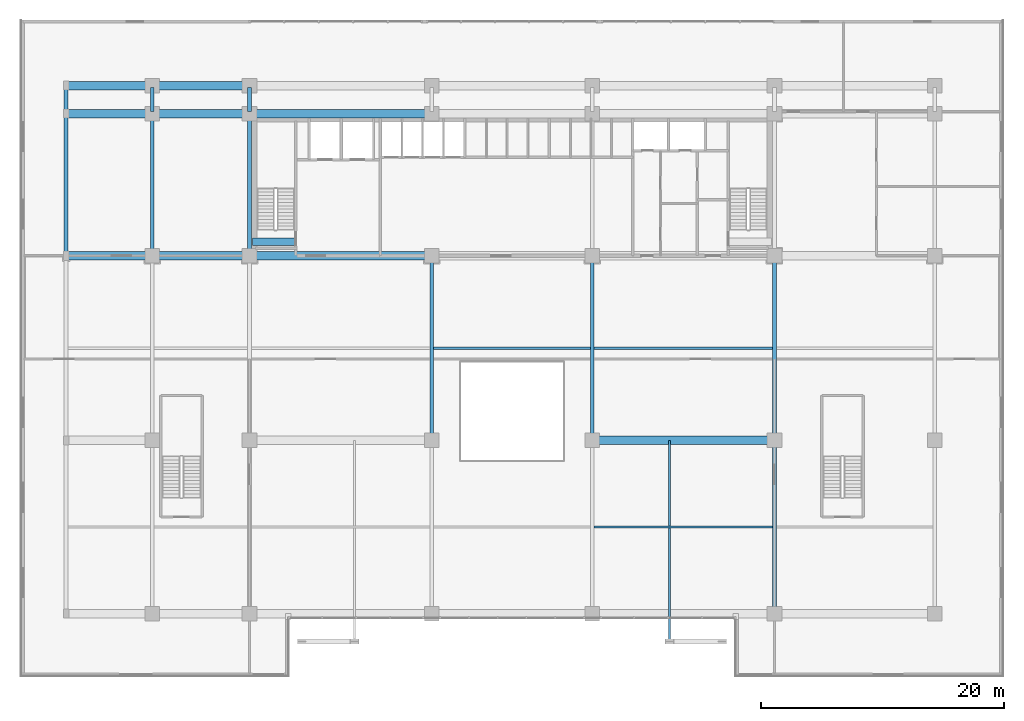
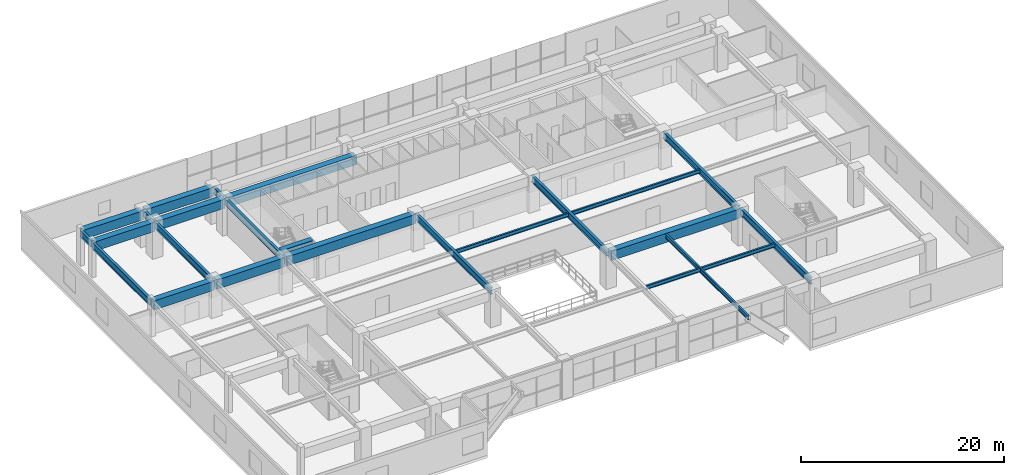
# One storey, part 7 of 24: 24 beams.
"""IFC4 building model written with IfcOpenShell, lengths in metres."""

from ifc_helpers import new_model, si_unit, direction, frame, origin, origin_2d, place, context, subcontext, project, spatial, rectangle, i_section, extrude, source, transform, mapped, material, material_profile, profile_set, type_object, element, save


model = new_model("IFC4")

# Units and contexts
model_context = context("Model", 3, precision=1e-05, world=origin(), true_north=direction((0.0, 1.0)))
body_context = subcontext(model_context, "Body", "Model", "MODEL_VIEW")
ifc_project = project(units=[si_unit("LENGTHUNIT", "METRE"), si_unit("AREAUNIT", "SQUARE_METRE"), si_unit("VOLUMEUNIT", "CUBIC_METRE"), si_unit("PLANEANGLEUNIT", "RADIAN"), si_unit("MASSUNIT", "GRAM", prefix="KILO")], contexts=[model_context])

# Site, building, storey
site_placement = place(None, origin())
site = spatial("IfcSite", under=ifc_project, at=site_placement, CompositionType="ELEMENT")
building_placement = place(site_placement, origin())
building = spatial("IfcBuilding", under=site, at=building_placement, Name="Trelvane Seafront Commons", CompositionType="ELEMENT")
storey_placement = place(building_placement, frame((0.0, 0.0, 5.199951171875)))
storey = spatial("IfcBuildingStorey", under=building, at=storey_placement, Name="L01", CompositionType="ELEMENT", Elevation=5.199951171875)

# Beams
ifc_material_1 = material(Name="Concrete C60/75", Category="concrete")
ifc_material_profile_1 = material_profile(ifc_material_1, rectangle(XDim=0.60009765625, YDim=0.89990234375, at=origin_2d()), Name="RC-600x900")
ifc_profile_set_1 = profile_set([ifc_material_profile_1], Name="Concrete C60/75")
beam_type_1 = type_object("IfcBeamType", Name="STR-LNT-RC600x900", PredefinedType="LINTEL", material=ifc_profile_set_1)
shared_shape_1 = source(origin(), body_context, "Body", "SweptSolid", [
    extrude(rectangle(XDim=0.60009765625, YDim=0.89990234375, at=origin_2d()), origin(), (0.0, 0.0, 1.0), 3.5498046875),
])
beam_1_placement = place(storey_placement, frame((15.85009765625, 34.550048828125, 3.75), z_axis=(1.0, 0.0, 0.0), x_axis=(0.0, 1.0, 0.0)))
element("IfcBeam", 1, at=beam_1_placement, inside=storey, type_object=beam_type_1, Name="L01 Core Coupling Lintel Beam CB-71", PredefinedType="LINTEL", context=body_context, shape_type="MappedRepresentation", body=[
    mapped(shared_shape_1, transform((0.0, 0.0, 0.0), x_axis=(1.0, 0.0, 0.0), y_axis=(0.0, 1.0, 0.0), z_axis=(0.0, 0.0, 1.0), scale=1.0)),
])
ifc_material_2 = material(Name="Concrete C50/60", Category="concrete")
ifc_material_profile_2 = material_profile(ifc_material_2, rectangle(XDim=0.699951171875, YDim=1.10009765625, at=origin_2d()), Name="RC-700x1100")
ifc_profile_set_2 = profile_set([ifc_material_profile_2], Name="Concrete C50/60")
beam_type_2 = type_object("IfcBeamType", Name="STR-TBM-RC700x1100", PredefinedType="T_BEAM", material=ifc_profile_set_2)
shared_shape_2 = source(origin(), body_context, "Body", "SweptSolid", [
    extrude(rectangle(XDim=0.699951171875, YDim=1.10009765625, at=origin_2d()), origin(), (0.0, 0.0, 1.0), 6.83740234375),
])
for number, where, z_axis, x_axis, name in (
    (2, (0.612548828125, 33.39990234375, 3.650146484375), (1.0, 0.0, 0.0), (0.0, 1.0, 0.0), "L01 Primary Girder G-13"),
    (3, (0.612548828125, 45.10009765625, 3.650146484375), (1.0, 0.0, 0.0), (0.0, 1.0, 0.0), "L01 Primary Girder G-19"),
    (4, (0.612548828125, 47.39990234375, 3.650146484375), (1.0, 0.0, 0.0), (0.0, 1.0, 0.0), "L01 Primary Girder G-25"),
):
    element("IfcBeam", number, at=place(storey_placement, frame(where, z_axis=z_axis, x_axis=x_axis)), inside=storey, type_object=beam_type_2, Name=name, PredefinedType="T_BEAM", context=body_context, shape_type="MappedRepresentation", body=[
        mapped(shared_shape_2, transform((0.0, 0.0, 0.0), x_axis=(1.0, 0.0, 0.0), y_axis=(0.0, 1.0, 0.0), z_axis=(0.0, 0.0, 1.0), scale=1.0)),
    ])
shared_shape_3 = source(origin(), body_context, "Body", "SweptSolid", [
    extrude(rectangle(XDim=0.699951171875, YDim=1.10009765625, at=origin_2d()), origin(), (0.0, 0.0, 1.0), 7.699951171875),
])
for number, where, z_axis, x_axis, name in (
    (5, (7.75, 33.39990234375, 3.650146484375), (1.0, 0.0, 0.0), (0.0, 1.0, 0.0), "L01 Primary Girder G-14"),
    (6, (7.75, 45.10009765625, 3.650146484375), (1.0, 0.0, 0.0), (0.0, 1.0, 0.0), "L01 Primary Girder G-20"),
    (7, (7.75, 47.39990234375, 3.650146484375), (1.0, 0.0, 0.0), (0.0, 1.0, 0.0), "L01 Primary Girder G-26"),
):
    element("IfcBeam", number, at=place(storey_placement, frame(where, z_axis=z_axis, x_axis=x_axis)), inside=storey, type_object=beam_type_2, Name=name, PredefinedType="T_BEAM", context=body_context, shape_type="MappedRepresentation", body=[
        mapped(shared_shape_3, transform((0.0, 0.0, 0.0), x_axis=(1.0, 0.0, 0.0), y_axis=(0.0, 1.0, 0.0), z_axis=(0.0, 0.0, 1.0), scale=1.0)),
    ])
shared_shape_4 = source(origin(), body_context, "Body", "SweptSolid", [
    extrude(rectangle(XDim=0.699951171875, YDim=1.10009765625, at=origin_2d()), origin(), (0.0, 0.0, 1.0), 14.699951171875),
])
for number, where, z_axis, x_axis, name in (
    (8, (43.949951171875, 18.199951171875, 3.650146484375), (1.0, 0.0, 0.0), (0.0, 1.0, 0.0), "L01 Primary Girder G-11"),
    (9, (15.75, 33.39990234375, 3.650146484375), (1.0, 0.0, 0.0), (0.0, 1.0, 0.0), "L01 Primary Girder G-15"),
    (10, (15.75, 45.10009765625, 3.650146484375), (1.0, 0.0, 0.0), (0.0, 1.0, 0.0), "L01 Primary Girder G-21"),
):
    element("IfcBeam", number, at=place(storey_placement, frame(where, z_axis=z_axis, x_axis=x_axis)), inside=storey, type_object=beam_type_2, Name=name, PredefinedType="T_BEAM", context=body_context, shape_type="MappedRepresentation", body=[
        mapped(shared_shape_4, transform((0.0, 0.0, 0.0), x_axis=(1.0, 0.0, 0.0), y_axis=(0.0, 1.0, 0.0), z_axis=(0.0, 0.0, 1.0), scale=1.0)),
    ])
ifc_material_3 = material(Name="Steel SM355 (S355)", Category="steel")
ifc_material_profile_3 = material_profile(ifc_material_3, i_section(OverallWidth=0.300048828125, OverallDepth=0.800048828125, WebThickness=0.013916015625, FlangeThickness=0.02587890625, at=origin_2d()), Name="H-800x300x14x26")
ifc_profile_set_3 = profile_set([ifc_material_profile_3], Name="Steel SM355 (S355)")
beam_type_3 = type_object("IfcBeamType", Name="STR-BM-H800", PredefinedType="BEAM", material=ifc_profile_set_3)
shared_shape_5 = source(origin(), body_context, "Body", "SweptSolid", [
    extrude(i_section(OverallWidth=0.300048828125, OverallDepth=0.800048828125, WebThickness=0.013916015625, FlangeThickness=0.02587890625, at=origin_2d()), origin(), (0.0, 0.0, 1.0), 13.949951171875),
])
beam_2_placement = place(storey_placement, frame((58.800048828125, 4.10009765625, 3.800048828125), z_axis=(0.0, 1.0, 0.0), x_axis=(-1.0, 0.0, 0.0)))
element("IfcBeam", 11, at=beam_2_placement, inside=storey, type_object=beam_type_3, Name="L01 Primary Girder G-51", PredefinedType="BEAM", context=body_context, shape_type="MappedRepresentation", body=[
    mapped(shared_shape_5, transform((0.0, 0.0, 0.0), x_axis=(1.0, 0.0, 0.0), y_axis=(0.0, 1.0, 0.0), z_axis=(0.0, 0.0, 1.0), scale=1.0)),
])
shared_shape_6 = source(origin(), body_context, "Body", "SweptSolid", [
    extrude(i_section(OverallWidth=0.300048828125, OverallDepth=0.800048828125, WebThickness=0.013916015625, FlangeThickness=0.02587890625, at=origin_2d()), origin(), (0.0, 0.0, 1.0), 14.89990234375),
])
for number, where, z_axis, x_axis, name in (
    (12, (30.60009765625, 18.35009765625, 3.800048828125), (0.0, 1.0, 0.0), (-1.0, 0.0, 0.0), "L01 Primary Girder G-44"),
    (13, (43.800048828125, 18.35009765625, 3.800048828125), (0.0, 1.0, 0.0), (-1.0, 0.0, 0.0), "L01 Primary Girder G-48"),
    (14, (58.800048828125, 18.35009765625, 3.800048828125), (0.0, 1.0, 0.0), (-1.0, 0.0, 0.0), "L01 Primary Girder G-52"),
):
    element("IfcBeam", number, at=place(storey_placement, frame(where, z_axis=z_axis, x_axis=x_axis)), inside=storey, type_object=beam_type_3, Name=name, PredefinedType="BEAM", context=body_context, shape_type="MappedRepresentation", body=[
        mapped(shared_shape_6, transform((0.0, 0.0, 0.0), x_axis=(1.0, 0.0, 0.0), y_axis=(0.0, 1.0, 0.0), z_axis=(0.0, 0.0, 1.0), scale=1.0)),
    ])
shared_shape_7 = source(origin(), body_context, "Body", "SweptSolid", [
    extrude(i_section(OverallWidth=0.300048828125, OverallDepth=0.800048828125, WebThickness=0.013916015625, FlangeThickness=0.02587890625, at=origin_2d()), origin(), (0.0, 0.0, 1.0), 11.39990234375),
])
for number, where, z_axis, x_axis, name in (
    (15, (0.5, 33.550048828125, 3.800048828125), (0.0, 1.0, 0.0), (-1.0, 0.0, 0.0), "L01 Primary Girder G-33"),
    (16, (7.60009765625, 33.550048828125, 3.800048828125), (0.0, 1.0, 0.0), (-1.0, 0.0, 0.0), "L01 Primary Girder G-37"),
    (17, (15.60009765625, 33.550048828125, 3.800048828125), (0.0, 1.0, 0.0), (-1.0, 0.0, 0.0), "L01 Primary Girder G-41"),
):
    element("IfcBeam", number, at=place(storey_placement, frame(where, z_axis=z_axis, x_axis=x_axis)), inside=storey, type_object=beam_type_3, Name=name, PredefinedType="BEAM", context=body_context, shape_type="MappedRepresentation", body=[
        mapped(shared_shape_7, transform((0.0, 0.0, 0.0), x_axis=(1.0, 0.0, 0.0), y_axis=(0.0, 1.0, 0.0), z_axis=(0.0, 0.0, 1.0), scale=1.0)),
    ])
shared_shape_8 = source(origin(), body_context, "Body", "SweptSolid", [
    extrude(i_section(OverallWidth=0.300048828125, OverallDepth=0.800048828125, WebThickness=0.013916015625, FlangeThickness=0.02587890625, at=origin_2d()), origin(), (0.0, 0.0, 1.0), 2.0),
])
for number, where, z_axis, x_axis, name in (
    (18, (0.5, 45.25, 3.800048828125), (0.0, 1.0, 0.0), (-1.0, 0.0, 0.0), "L01 Primary Girder G-34"),
    (19, (7.60009765625, 45.25, 3.800048828125), (0.0, 1.0, 0.0), (-1.0, 0.0, 0.0), "L01 Primary Girder G-38"),
    (20, (15.60009765625, 45.25, 3.800048828125), (0.0, 1.0, 0.0), (-1.0, 0.0, 0.0), "L01 Primary Girder G-42"),
):
    element("IfcBeam", number, at=place(storey_placement, frame(where, z_axis=z_axis, x_axis=x_axis)), inside=storey, type_object=beam_type_3, Name=name, PredefinedType="BEAM", context=body_context, shape_type="MappedRepresentation", body=[
        mapped(shared_shape_8, transform((0.0, 0.0, 0.0), x_axis=(1.0, 0.0, 0.0), y_axis=(0.0, 1.0, 0.0), z_axis=(0.0, 0.0, 1.0), scale=1.0)),
    ])
ifc_material_profile_4 = material_profile(ifc_material_3, i_section(OverallWidth=0.199951171875, OverallDepth=0.449951171875, WebThickness=0.009033203125, FlangeThickness=0.013916015625, at=origin_2d()), Name="H-450x200x9x14")
ifc_profile_set_4 = profile_set([ifc_material_profile_4], Name="Steel SM355 (S355)")
beam_type_4 = type_object("IfcBeamType", Name="STR-JST-H450", PredefinedType="JOIST", material=ifc_profile_set_4)
shared_shape_9 = source(origin(), body_context, "Body", "SweptSolid", [
    extrude(i_section(OverallWidth=0.199951171875, OverallDepth=0.449951171875, WebThickness=0.009033203125, FlangeThickness=0.013916015625, at=origin_2d()), origin(), (0.0, 0.0, 1.0), 14.699951171875),
])
for number, where, z_axis, x_axis, name in (
    (21, (43.949951171875, 11.074951171875, 3.97509765625), (1.0, 0.0, 0.0), (0.0, 1.0, 0.0), "L01 Secondary Floor Joist B-63"),
    (22, (43.949951171875, 25.800048828125, 3.97509765625), (1.0, 0.0, 0.0), (0.0, 1.0, 0.0), "L01 Secondary Floor Joist B-69"),
):
    element("IfcBeam", number, at=place(storey_placement, frame(where, z_axis=z_axis, x_axis=x_axis)), inside=storey, type_object=beam_type_4, Name=name, PredefinedType="JOIST", context=body_context, shape_type="MappedRepresentation", body=[
        mapped(shared_shape_9, transform((0.0, 0.0, 0.0), x_axis=(1.0, 0.0, 0.0), y_axis=(0.0, 1.0, 0.0), z_axis=(0.0, 0.0, 1.0), scale=1.0)),
    ])
shared_shape_10 = source(origin(), body_context, "Body", "SweptSolid", [
    extrude(i_section(OverallWidth=0.199951171875, OverallDepth=0.449951171875, WebThickness=0.009033203125, FlangeThickness=0.013916015625, at=origin_2d()), origin(), (0.0, 0.0, 1.0), 12.89990234375),
])
beam_3_placement = place(storey_placement, frame((30.75, 25.800048828125, 3.97509765625), z_axis=(1.0, 0.0, 0.0), x_axis=(0.0, 1.0, 0.0)))
element("IfcBeam", 23, at=beam_3_placement, inside=storey, type_object=beam_type_4, Name="L01 Secondary Floor Joist B-68", PredefinedType="JOIST", context=body_context, shape_type="MappedRepresentation", body=[
    mapped(shared_shape_10, transform((0.0, 0.0, 0.0), x_axis=(1.0, 0.0, 0.0), y_axis=(0.0, 1.0, 0.0), z_axis=(0.0, 0.0, 1.0), scale=1.0)),
])
ifc_material_profile_5 = material_profile(ifc_material_3, i_section(OverallWidth=0.199951171875, OverallDepth=0.5, WebThickness=0.010009765625, FlangeThickness=0.01611328125, at=origin_2d()), Name="H-500x200x10x16")
ifc_profile_set_5 = profile_set([ifc_material_profile_5], Name="Steel SM355 (S355)")
beam_type_5 = type_object("IfcBeamType", Name="STR-BM-H500", PredefinedType="BEAM", material=ifc_profile_set_5)
shared_shape_11 = source(origin(), body_context, "Body", "SweptSolid", [
    extrude(i_section(OverallWidth=0.199951171875, OverallDepth=0.5, WebThickness=0.010009765625, FlangeThickness=0.01611328125, at=origin_2d()), origin(), (0.0, 0.0, 1.0), 16.64990234375),
])
beam_4_placement = place(storey_placement, frame((50.159912109375, 18.199951171875, 3.949951171875), z_axis=(0.0, -1.0, 0.0), x_axis=(1.0, 0.0, 0.0)))
element("IfcBeam", 24, at=beam_4_placement, inside=storey, type_object=beam_type_5, Name="L01 Inverted-V Portal Tie Cantilever Girder G-74", PredefinedType="BEAM", context=body_context, shape_type="MappedRepresentation", body=[
    mapped(shared_shape_11, transform((0.0, 0.0, 0.0), x_axis=(1.0, 0.0, 0.0), y_axis=(0.0, 1.0, 0.0), z_axis=(0.0, 0.0, 1.0), scale=1.0)),
])

save(model, "model.ifc")
